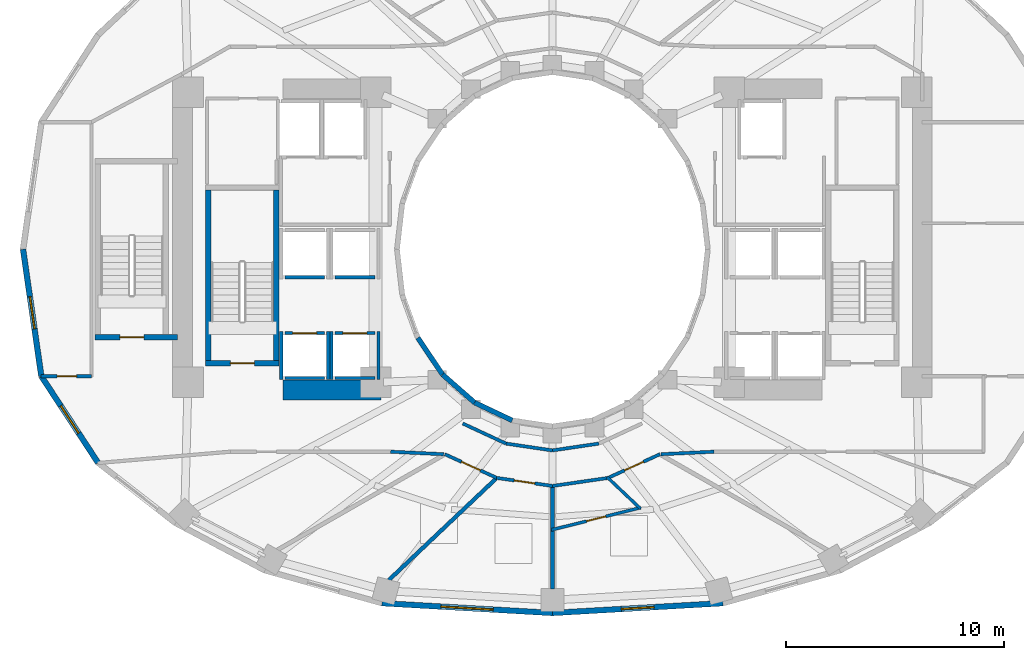
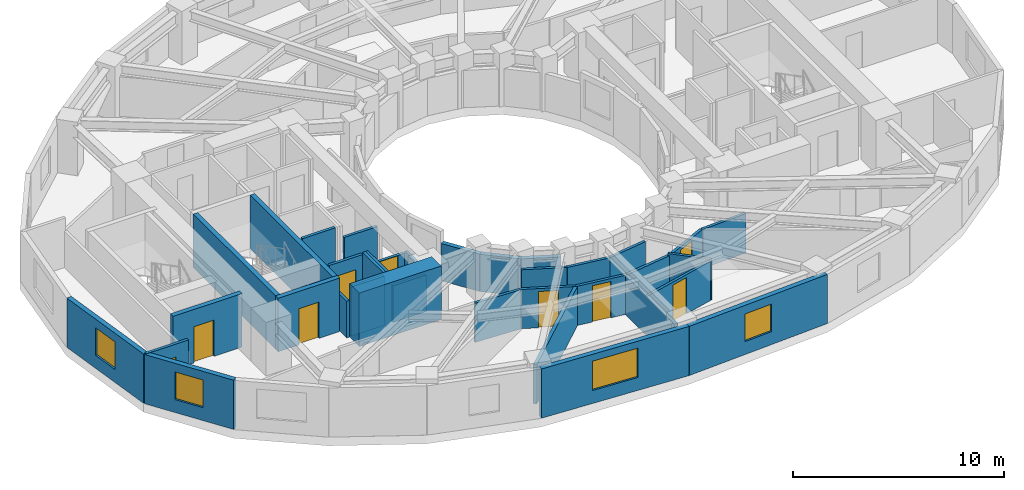
# One storey, part 3 of 9: 36 walls, 9 doors, 4 windows, 13 openings.
"""IFC4 building model written with IfcOpenShell, lengths in metres."""

from ifc_helpers import new_model, si_unit, direction, frame, frame_2d, origin, place, context, subcontext, project, spatial, rectangle, extrude, material, layer, layer_set, type_object, element, fill, save


model = new_model("IFC4")

# Units and contexts
model_context = context("Model", 3, precision=1e-05, world=origin(), true_north=direction((0.0, 1.0)))
body_context = subcontext(model_context, "Body", "Model", "MODEL_VIEW")
ifc_project = project(units=[si_unit("LENGTHUNIT", "METRE"), si_unit("AREAUNIT", "SQUARE_METRE"), si_unit("VOLUMEUNIT", "CUBIC_METRE"), si_unit("PLANEANGLEUNIT", "RADIAN"), si_unit("MASSUNIT", "GRAM", prefix="KILO")], contexts=[model_context])

# Site, building, storey
site_placement = place(None, origin())
site = spatial("IfcSite", under=ifc_project, at=site_placement, CompositionType="ELEMENT")
building_placement = place(site_placement, origin())
building = spatial("IfcBuilding", under=site, at=building_placement, Name="Solvane Sanctuary Tower", CompositionType="ELEMENT")
storey_placement = place(building_placement, frame((0.0, 0.0, 76.300048828125)))
storey = spatial("IfcBuildingStorey", under=building, at=storey_placement, Name="L22", CompositionType="ELEMENT", Elevation=76.300048828125)

# Walls
ifc_material_1 = material(Name="Concrete C70/85", Category="concrete")
ifc_layer_1 = layer(ifc_material_1, 0.89990234375, Name="Concrete C70/85")
ifc_layer_set_1 = layer_set([ifc_layer_1], Name="Concrete C70/85")
wall_type_1 = type_object("IfcWallType", Name="Wall W-CORE-900", PredefinedType="SHEAR", material=ifc_layer_set_1)
wall_1_placement = place(storey_placement, frame((19.64990234375, 16.550048828125, 0.0), z_axis=(0.0, 0.0, 1.0), x_axis=(1.0, 0.0, 0.0)))
element("IfcWall", 1, at=wall_1_placement, inside=storey, type_object=wall_type_1, Name="L22 Core Shear Wall WC-S", PredefinedType="SHEAR", context=body_context, shape_type="SweptSolid", body=[
    extrude(rectangle(XDim=4.5, YDim=0.89990234375, at=frame_2d((2.25, 0.0))), origin(), (0.0, 0.0, 1.0), 3.099853515625),
])
ifc_material_2 = material(Name="Acoustic Gypsum Partition Board")
ifc_layer_2 = layer(ifc_material_2, 0.14990234375, Name="Acoustic Gypsum Partition Board")
ifc_layer_set_2 = layer_set([ifc_layer_2], Name="Acoustic Gypsum Partition Board")
wall_type_2 = type_object("IfcWallType", Name="Wall W-CORR-150", PredefinedType="PARTITIONING", material=ifc_layer_set_2)
wall_2_placement = place(storey_placement, frame((27.889892578125, 15.01513671875, 0.0), z_axis=(0.0, 0.0, 1.0), x_axis=(0.906943449489, -0.421252393975, 0.0)))
element("IfcWall", 2, at=wall_2_placement, inside=storey, type_object=wall_type_2, Name="L22 Light-Well Corridor Rim Wall S1", PredefinedType="PARTITIONING", context=body_context, shape_type="SweptSolid", body=[
    extrude(rectangle(XDim=2.18603515625, YDim=0.14990234375, at=frame_2d((1.093017578125, 0.0))), origin(), (0.0, 0.0, 1.0), 2.27197265625),
])
for number, where, z_axis, x_axis, name in (
    (3, (29.87255859375, 14.09423828125, 0.0), (0.0, 0.0, 1.0), (0.989268584896, -0.146108408166, 0.0), "L22 Light-Well Corridor Rim Wall S2"),
    (4, (32.0, 13.780029296875, 0.0), (0.0, 0.0, 1.0), (0.989268584896, 0.146108408166, 0.0), "L22 Light-Well Corridor Rim Wall S3"),
):
    element("IfcWall", number, at=place(storey_placement, frame(where, z_axis=z_axis, x_axis=x_axis)), inside=storey, type_object=wall_type_2, Name=name, PredefinedType="PARTITIONING", context=body_context, shape_type="SweptSolid", body=[
        extrude(rectangle(XDim=2.150634765625, YDim=0.14990234375, at=frame_2d((1.0751953125, 0.0))), origin(), (0.0, 0.0, 1.0), 2.27197265625),
    ])

# Wall, opening, door
wall_3_placement = place(storey_placement, frame((8.558349609375, 17.1748046875, 0.0), z_axis=(0.0, 0.0, 1.0), x_axis=(1.0, 0.0, 0.0)))
wall_3 = element("IfcWall", 5, at=wall_3_placement, inside=storey, type_object=wall_type_2, Name="L22 West Shoulder South Wall", PredefinedType="PARTITIONING", context=body_context, shape_type="SweptSolid", body=[
    extrude(rectangle(XDim=2.321533203125, YDim=0.14990234375, at=frame_2d((1.16064453125, 0.0))), origin(), (0.0, 0.0, 1.0), 2.85498046875),
])
opening_1_placement = place(wall_3_placement, frame((0.739013671875, 0.0, 0.0)))
opening_1 = element("IfcOpeningElement", 6, at=opening_1_placement, cuts=wall_3, Name="Opening D-L22-10", PredefinedType="OPENING", context=body_context, shape_type="SweptSolid", body=[
    extrude(rectangle(XDim=0.89990234375, YDim=2.10009765625, at=frame_2d((0.449951171875, 1.050048828125))), frame((0.0, 0.0849609375, 0.0), z_axis=(0.0, -1.0, 0.0), x_axis=(1.0, 0.0, 0.0)), (0.0, 0.0, 1.0), 0.169921875),
])
ifc_material_3 = material(Name="Engineered Tropical Hardwood", Category="wood")
door_type_1 = type_object("IfcDoorType", Name="Door D-WET-900", OperationType="NOTDEFINED", PredefinedType="DOOR", material=ifc_material_3)
door_1_placement = place(opening_1_placement, origin())
door_1 = element("IfcDoor", 7, at=door_1_placement, inside=storey, type_object=door_type_1, Name="L22 West Shoulder South Door", OperationType="SINGLE_SWING_LEFT", OverallHeight=2.10009765625, OverallWidth=0.89990234375, PredefinedType="DOOR", context=body_context, shape_type="SweptSolid", body=[
    extrude(rectangle(XDim=0.89990234375, YDim=2.10009765625, at=frame_2d((0.449951171875, 1.050048828125))), frame((0.0, 0.02490234375, 0.0), z_axis=(0.0, -1.0, 0.0), x_axis=(1.0, 0.0, 0.0)), (0.0, 0.0, 1.0), 0.050048828125),
])
fill(opening_1, door_1)

# Walls
for number, where, z_axis, x_axis, name in (
    (8, (27.02001953125, 13.606201171875, 0.0), (0.0, 0.0, 1.0), (-0.998877427952, 0.047369651964, 0.0), "L22 SW Corner Throat Wall"),
    (9, (36.97998046875, 13.606201171875, 0.0), (0.0, 0.0, 1.0), (0.998877427952, 0.047369651964, 0.0), "L22 SE Corner Throat Wall"),
):
    element("IfcWall", number, at=place(storey_placement, frame(where, z_axis=z_axis, x_axis=x_axis)), inside=storey, type_object=wall_type_2, Name=name, PredefinedType="PARTITIONING", context=body_context, shape_type="SweptSolid", body=[
        extrude(rectangle(XDim=2.4326171875, YDim=0.14990234375, at=frame_2d((1.21630859375, 0.0))), origin(), (0.0, 0.0, 1.0), 2.27197265625),
    ])

# Wall, opening, door
wall_4_placement = place(storey_placement, frame((27.069091796875, 13.607421875, 0.0), z_axis=(0.0, 0.0, 1.0), x_axis=(0.909747571199, -0.415161843982, 0.0)))
wall_4 = element("IfcWall", 10, at=wall_4_placement, inside=storey, type_object=wall_type_2, Name="L22 Unit Corridor Wall S1", PredefinedType="PARTITIONING", context=body_context, shape_type="SweptSolid", body=[
    extrude(rectangle(XDim=2.625, YDim=0.14990234375, at=frame_2d((1.3125, 0.0))), origin(), (0.0, 0.0, 1.0), 2.27197265625),
])
opening_2_placement = place(wall_4_placement, frame((0.837646484375, 0.0, 0.0)))
opening_2 = element("IfcOpeningElement", 11, at=opening_2_placement, cuts=wall_4, Name="Opening D-L22-19", PredefinedType="OPENING", context=body_context, shape_type="SweptSolid", body=[
    extrude(rectangle(XDim=0.949951171875, YDim=2.10009765625, at=frame_2d((0.47509765625, 1.050048828125))), frame((0.0, 0.0849609375, 0.0), z_axis=(0.0, -1.0, 0.0), x_axis=(1.0, 0.0, 0.0)), (0.0, 0.0, 1.0), 0.169921875),
])
door_type_2 = type_object("IfcDoorType", Name="Door D-ROOM-950", OperationType="NOTDEFINED", PredefinedType="DOOR", material=ifc_material_3)
door_2_placement = place(opening_2_placement, origin())
door_2 = element("IfcDoor", 12, at=door_2_placement, inside=storey, type_object=door_type_2, Name="L22 Unit Entrance Door S1", OperationType="SINGLE_SWING_RIGHT", OverallHeight=2.10009765625, OverallWidth=0.949951171875, PredefinedType="DOOR", context=body_context, shape_type="SweptSolid", body=[
    extrude(rectangle(XDim=0.949951171875, YDim=2.10009765625, at=frame_2d((0.47509765625, 1.050048828125))), frame((0.0, 0.02490234375, 0.0), z_axis=(0.0, -1.0, 0.0), x_axis=(1.0, 0.0, 0.0)), (0.0, 0.0, 1.0), 0.050048828125),
])
fill(opening_2, door_2)

wall_5_placement = place(storey_placement, frame((29.444091796875, 12.521728515625, 0.0), z_axis=(0.0, 0.0, 1.0), x_axis=(0.989637894688, -0.143585644814, 0.0)))
wall_5 = element("IfcWall", 13, at=wall_5_placement, inside=storey, type_object=wall_type_2, Name="L22 Unit Corridor Wall S2", PredefinedType="PARTITIONING", context=body_context, shape_type="SweptSolid", body=[
    extrude(rectangle(XDim=2.589599609375, YDim=0.14990234375, at=frame_2d((1.294921875, 0.0))), origin(), (0.0, 0.0, 1.0), 2.27197265625),
])
opening_3_placement = place(wall_5_placement, frame((0.81982421875, 0.0, 0.0)))
opening_3 = element("IfcOpeningElement", 14, at=opening_3_placement, cuts=wall_5, Name="Opening D-L22-20", PredefinedType="OPENING", context=body_context, shape_type="SweptSolid", body=[
    extrude(rectangle(XDim=0.949951171875, YDim=2.10009765625, at=frame_2d((0.47509765625, 1.050048828125))), frame((0.0, 0.0849609375, 0.0), z_axis=(0.0, -1.0, 0.0), x_axis=(1.0, 0.0, 0.0)), (0.0, 0.0, 1.0), 0.169921875),
])
door_3_placement = place(opening_3_placement, origin())
door_3 = element("IfcDoor", 15, at=door_3_placement, inside=storey, type_object=door_type_2, Name="L22 Unit Entrance Door S2", OperationType="SINGLE_SWING_LEFT", OverallHeight=2.10009765625, OverallWidth=0.949951171875, PredefinedType="DOOR", context=body_context, shape_type="SweptSolid", body=[
    extrude(rectangle(XDim=0.949951171875, YDim=2.10009765625, at=frame_2d((0.47509765625, 1.050048828125))), frame((0.0, 0.02490234375, 0.0), z_axis=(0.0, -1.0, 0.0), x_axis=(1.0, 0.0, 0.0)), (0.0, 0.0, 1.0), 0.050048828125),
])
fill(opening_3, door_3)

# Wall
wall_6_placement = place(storey_placement, frame((31.950439453125, 12.142822265625, 0.0), z_axis=(0.0, 0.0, 1.0), x_axis=(0.989649898776, 0.143502884474, 0.0)))
element("IfcWall", 16, at=wall_6_placement, inside=storey, type_object=wall_type_2, Name="L22 En-suite Inner Wall S3", PredefinedType="PARTITIONING", context=body_context, shape_type="SweptSolid", body=[
    extrude(rectangle(XDim=2.676025390625, YDim=0.14990234375, at=frame_2d((1.337890625, 0.0))), origin(), (0.0, 0.0, 1.0), 2.27197265625),
])

# Wall, opening, door
wall_7_placement = place(storey_placement, frame((34.542724609375, 12.517578125, 0.0), z_axis=(0.0, 0.0, 1.0), x_axis=(0.909747571199, 0.415161843982, 0.0)))
wall_7 = element("IfcWall", 17, at=wall_7_placement, inside=storey, type_object=wall_type_2, Name="L22 Unit Corridor Wall S3", PredefinedType="PARTITIONING", context=body_context, shape_type="SweptSolid", body=[
    extrude(rectangle(XDim=2.625, YDim=0.14990234375, at=frame_2d((1.3125, 0.0))), origin(), (0.0, 0.0, 1.0), 2.27197265625),
])
opening_4_placement = place(wall_7_placement, frame((0.837646484375, 0.0, 0.0)))
opening_4 = element("IfcOpeningElement", 18, at=opening_4_placement, cuts=wall_7, Name="Opening D-L22-22", PredefinedType="OPENING", context=body_context, shape_type="SweptSolid", body=[
    extrude(rectangle(XDim=0.949951171875, YDim=2.10009765625, at=frame_2d((0.47509765625, 1.050048828125))), frame((0.0, 0.0849609375, 0.0), z_axis=(0.0, -1.0, 0.0), x_axis=(1.0, 0.0, 0.0)), (0.0, 0.0, 1.0), 0.169921875),
])
door_4_placement = place(opening_4_placement, origin())
door_4 = element("IfcDoor", 19, at=door_4_placement, inside=storey, type_object=door_type_2, Name="L22 Unit Entrance Door S3", OperationType="SINGLE_SWING_LEFT", OverallHeight=2.10009765625, OverallWidth=0.949951171875, PredefinedType="DOOR", context=body_context, shape_type="SweptSolid", body=[
    extrude(rectangle(XDim=0.949951171875, YDim=2.10009765625, at=frame_2d((0.47509765625, 1.050048828125))), frame((0.0, 0.02490234375, 0.0), z_axis=(0.0, -1.0, 0.0), x_axis=(1.0, 0.0, 0.0)), (0.0, 0.0, 1.0), 0.050048828125),
])
fill(opening_4, door_4)

# Wall, opening, window
ifc_material_4 = material(Name="Precast concrete C40/50", Category="concrete")
ifc_layer_3 = layer(ifc_material_4, 0.260009765625, Name="Precast concrete C40/50")
ifc_layer_set_3 = layer_set([ifc_layer_3], Name="Precast concrete C40/50")
wall_type_3 = type_object("IfcWallType", Name="Wall W-EXT-250", PredefinedType="STANDARD", material=ifc_layer_set_3)
wall_8_placement = place(storey_placement, frame((7.739990234375, 23.0, 0.0), z_axis=(0.0, 0.0, 1.0), x_axis=(0.142572472068, -0.98978436551, 0.0)))
wall_8 = element("IfcWall", 20, at=wall_8_placement, inside=storey, type_object=wall_type_3, Name="L22 Ceramic-Printed Facade Wall 12", PredefinedType="STANDARD", context=body_context, shape_type="SweptSolid", body=[
    extrude(rectangle(XDim=5.878662109375, YDim=0.260009765625, at=frame_2d((2.939453125, 0.0))), origin(), (0.0, 0.0, 1.0), 2.849853515625),
])
opening_5_placement = place(wall_8_placement, frame((2.189453125, 0.0, 0.75)))
opening_5 = element("IfcOpeningElement", 21, at=opening_5_placement, cuts=wall_8, Name="Opening WN-OPER-1500", PredefinedType="OPENING", context=body_context, shape_type="SweptSolid", body=[
    extrude(rectangle(XDim=1.5, YDim=1.60009765625, at=frame_2d((0.75, 0.800048828125))), frame((0.0, 0.139892578125, 0.0), z_axis=(0.0, -1.0, 0.0), x_axis=(1.0, 0.0, 0.0)), (0.0, 0.0, 1.0), 0.280029296875),
])
ifc_material_5 = material(Name="Dark Ceramic-Fritted Low-E Glass", Category="glass")
window_type_1 = type_object("IfcWindowType", Name="Window WN-OPER-1500", PartitioningType="SINGLE_PANEL", PredefinedType="WINDOW", material=ifc_material_5)
window_1_placement = place(opening_5_placement, origin())
window_1 = element("IfcWindow", 22, at=window_1_placement, inside=storey, type_object=window_type_1, Name="L22 Operable Facade Window 12", OverallHeight=1.60009765625, OverallWidth=1.5, PartitioningType="SINGLE_PANEL", PredefinedType="WINDOW", context=body_context, shape_type="SweptSolid", body=[
    extrude(rectangle(XDim=1.5, YDim=1.60009765625, at=frame_2d((0.75, 0.800048828125))), frame((0.0, 0.030029296875, 0.0), z_axis=(0.0, -1.0, 0.0), x_axis=(1.0, 0.0, 0.0)), (0.0, 0.0, 1.0), 0.06005859375),
])
fill(opening_5, window_1)

wall_9_placement = place(storey_placement, frame((8.578125, 17.181396484375, 0.0), z_axis=(0.0, 0.0, 1.0), x_axis=(0.548283220945, -0.836292717672, 0.0)))
wall_9 = element("IfcWall", 23, at=wall_9_placement, inside=storey, type_object=wall_type_3, Name="L22 Ceramic-Printed Facade Wall 13", PredefinedType="STANDARD", context=body_context, shape_type="SweptSolid", body=[
    extrude(rectangle(XDim=4.744384765625, YDim=0.260009765625, at=frame_2d((2.3720703125, 0.0))), origin(), (0.0, 0.0, 1.0), 2.849853515625),
])
opening_6_placement = place(wall_9_placement, frame((1.622314453125, 0.0, 0.75)))
opening_6 = element("IfcOpeningElement", 24, at=opening_6_placement, cuts=wall_9, Name="Opening WN-OPER-1500", PredefinedType="OPENING", context=body_context, shape_type="SweptSolid", body=[
    extrude(rectangle(XDim=1.5, YDim=1.60009765625, at=frame_2d((0.75, 0.800048828125))), frame((0.0, 0.139892578125, 0.0), z_axis=(0.0, -1.0, 0.0), x_axis=(1.0, 0.0, 0.0)), (0.0, 0.0, 1.0), 0.280029296875),
])
window_2_placement = place(opening_6_placement, origin())
window_2 = element("IfcWindow", 25, at=window_2_placement, inside=storey, type_object=window_type_1, Name="L22 Operable Facade Window 13", OverallHeight=1.60009765625, OverallWidth=1.5, PartitioningType="SINGLE_PANEL", PredefinedType="WINDOW", context=body_context, shape_type="SweptSolid", body=[
    extrude(rectangle(XDim=1.5, YDim=1.60009765625, at=frame_2d((0.75, 0.800048828125))), frame((0.0, 0.030029296875, 0.0), z_axis=(0.0, -1.0, 0.0), x_axis=(1.0, 0.0, 0.0)), (0.0, 0.0, 1.0), 0.06005859375),
])
fill(opening_6, window_2)

wall_10_placement = place(storey_placement, frame((24.18359375, 6.7783203125, 0.0), z_axis=(0.0, 0.0, 1.0), x_axis=(0.998352606703, -0.057376586592, 0.0)))
wall_10 = element("IfcWall", 26, at=wall_10_placement, inside=storey, type_object=wall_type_3, Name="L22 Ceramic-Printed Facade Wall 17", PredefinedType="STANDARD", context=body_context, shape_type="SweptSolid", body=[
    extrude(rectangle(XDim=7.829345703125, YDim=0.260009765625, at=frame_2d((3.91455078125, 0.0))), origin(), (0.0, 0.0, 1.0), 2.849853515625),
])
opening_7_placement = place(wall_10_placement, frame((2.714599609375, 0.0, 0.75)))
opening_7 = element("IfcOpeningElement", 27, at=opening_7_placement, cuts=wall_10, Name="Opening WN-RIB-2400", PredefinedType="OPENING", context=body_context, shape_type="SweptSolid", body=[
    extrude(rectangle(XDim=2.39990234375, YDim=1.699951171875, at=frame_2d((1.199951171875, 0.85009765625))), frame((0.0, 0.139892578125, 0.0), z_axis=(0.0, -1.0, 0.0), x_axis=(1.0, 0.0, 0.0)), (0.0, 0.0, 1.0), 0.280029296875),
])
window_type_2 = type_object("IfcWindowType", Name="Window WN-RIB-2400", PartitioningType="SINGLE_PANEL", PredefinedType="WINDOW", material=ifc_material_5)
window_3_placement = place(opening_7_placement, origin())
window_3 = element("IfcWindow", 28, at=window_3_placement, inside=storey, type_object=window_type_2, Name="L22 Operable Facade Window 17", OverallHeight=1.699951171875, OverallWidth=2.39990234375, PartitioningType="SINGLE_PANEL", PredefinedType="WINDOW", context=body_context, shape_type="SweptSolid", body=[
    extrude(rectangle(XDim=2.39990234375, YDim=1.699951171875, at=frame_2d((1.199951171875, 0.85009765625))), frame((0.0, 0.030029296875, 0.0), z_axis=(0.0, -1.0, 0.0), x_axis=(1.0, 0.0, 0.0)), (0.0, 0.0, 1.0), 0.06005859375),
])
fill(opening_7, window_3)

wall_11_placement = place(storey_placement, frame((32.0, 6.3291015625, 0.0), z_axis=(0.0, 0.0, 1.0), x_axis=(0.998352606703, 0.057376586592, 0.0)))
wall_11 = element("IfcWall", 29, at=wall_11_placement, inside=storey, type_object=wall_type_3, Name="L22 Ceramic-Printed Facade Wall 18", PredefinedType="STANDARD", context=body_context, shape_type="SweptSolid", body=[
    extrude(rectangle(XDim=7.829345703125, YDim=0.260009765625, at=frame_2d((3.91455078125, 0.0))), origin(), (0.0, 0.0, 1.0), 2.849853515625),
])
opening_8_placement = place(wall_11_placement, frame((3.16455078125, 0.0, 0.75)))
opening_8 = element("IfcOpeningElement", 30, at=opening_8_placement, cuts=wall_11, Name="Opening WN-OPER-1500", PredefinedType="OPENING", context=body_context, shape_type="SweptSolid", body=[
    extrude(rectangle(XDim=1.5, YDim=1.60009765625, at=frame_2d((0.75, 0.800048828125))), frame((0.0, 0.139892578125, 0.0), z_axis=(0.0, -1.0, 0.0), x_axis=(1.0, 0.0, 0.0)), (0.0, 0.0, 1.0), 0.280029296875),
])
window_4_placement = place(opening_8_placement, origin())
window_4 = element("IfcWindow", 31, at=window_4_placement, inside=storey, type_object=window_type_1, Name="L22 Operable Facade Window 18", OverallHeight=1.60009765625, OverallWidth=1.5, PartitioningType="SINGLE_PANEL", PredefinedType="WINDOW", context=body_context, shape_type="SweptSolid", body=[
    extrude(rectangle(XDim=1.5, YDim=1.60009765625, at=frame_2d((0.75, 0.800048828125))), frame((0.0, 0.030029296875, 0.0), z_axis=(0.0, -1.0, 0.0), x_axis=(1.0, 0.0, 0.0)), (0.0, 0.0, 1.0), 0.06005859375),
])
fill(opening_8, window_4)

# Walls
ifc_layer_4 = layer(ifc_material_4, 0.22998046875, Name="Precast concrete C40/50")
ifc_layer_set_4 = layer_set([ifc_layer_4], Name="Precast concrete C40/50")
wall_type_4 = type_object("IfcWallType", Name="Wall W-EXT-SP220", PredefinedType="STANDARD", material=ifc_layer_set_4)
wall_12_placement = place(storey_placement, frame((25.833984375, 18.93994140625, 0.0), z_axis=(0.0, 0.0, 1.0), x_axis=(0.558197800898, -0.829707909492, 0.0)))
element("IfcWall", 32, at=wall_12_placement, inside=storey, type_object=wall_type_4, Name="L22 Central Light-Well Wall 14", PredefinedType="STANDARD", context=body_context, shape_type="SweptSolid", body=[
    extrude(rectangle(XDim=2.02685546875, YDim=0.22998046875, at=frame_2d((1.013427734375, 0.0))), origin(), (0.0, 0.0, 1.0), 2.159912109375),
])
wall_13_placement = place(storey_placement, frame((26.96533203125, 17.25830078125, 0.0), z_axis=(0.0, 0.0, 1.0), x_axis=(0.752576694707, -0.658504607869, 0.0)))
element("IfcWall", 33, at=wall_13_placement, inside=storey, type_object=wall_type_4, Name="L22 Central Light-Well Wall 15", PredefinedType="STANDARD", context=body_context, shape_type="SweptSolid", body=[
    extrude(rectangle(XDim=1.95947265625, YDim=0.22998046875, at=frame_2d((0.979736328125, 0.0))), origin(), (0.0, 0.0, 1.0), 2.159912109375),
])
wall_14_placement = place(storey_placement, frame((28.43994140625, 15.968017578125, 0.0), z_axis=(0.0, 0.0, 1.0), x_axis=(0.904179699603, -0.427152280606, 0.0)))
element("IfcWall", 34, at=wall_14_placement, inside=storey, type_object=wall_type_4, Name="L22 Central Light-Well Wall 16", PredefinedType="STANDARD", context=body_context, shape_type="SweptSolid", body=[
    extrude(rectangle(XDim=1.899169921875, YDim=0.22998046875, at=frame_2d((0.94970703125, 0.0))), origin(), (0.0, 0.0, 1.0), 2.159912109375),
])

# Wall, opening, door
ifc_material_6 = material(Name="Concrete C50/60", Category="concrete")
ifc_layer_5 = layer(ifc_material_6, 0.14990234375, Name="Concrete C50/60")
ifc_layer_set_5 = layer_set([ifc_layer_5], Name="Concrete C50/60")
wall_type_5 = type_object("IfcWallType", Name="Wall W-SHAFT-150", PredefinedType="SOLIDWALL", material=ifc_layer_set_5)
wall_15_placement = place(storey_placement, frame((19.739990234375, 19.159912109375, 0.0), z_axis=(0.0, 0.0, 1.0), x_axis=(1.0, 0.0, 0.0)))
wall_15 = element("IfcWall", 35, at=wall_15_placement, inside=storey, type_object=wall_type_5, Name="L22 PL-1 Lift Shaft Wall F", PredefinedType="SOLIDWALL", context=body_context, shape_type="SweptSolid", body=[
    extrude(rectangle(XDim=1.820068359375, YDim=0.14990234375, at=frame_2d((0.91015625, 0.0))), origin(), (0.0, 0.0, 1.0), 2.85498046875),
])
opening_9_placement = place(wall_15_placement, frame((0.360107421875, 0.0, 0.0)))
opening_9 = element("IfcOpeningElement", 36, at=opening_9_placement, cuts=wall_15, Name="Opening LD-L22-01", PredefinedType="OPENING", context=body_context, shape_type="SweptSolid", body=[
    extrude(rectangle(XDim=1.10009765625, YDim=2.10009765625, at=frame_2d((0.550048828125, 1.050048828125))), frame((0.0, 0.0849609375, 0.0), z_axis=(0.0, -1.0, 0.0), x_axis=(1.0, 0.0, 0.0)), (0.0, 0.0, 1.0), 0.169921875),
])
ifc_material_7 = material(Name="Architectural Stainless Steel 316", Category="steel")
door_type_3 = type_object("IfcDoorType", Name="Door LD-PASS-1100", OperationType="NOTDEFINED", PredefinedType="DOOR", material=ifc_material_7)
door_5_placement = place(opening_9_placement, origin())
door_5 = element("IfcDoor", 37, at=door_5_placement, inside=storey, type_object=door_type_3, Name="L22 PL-1 Lift Landing Door", OperationType="DOUBLE_DOOR_SLIDING", OverallHeight=2.10009765625, OverallWidth=1.10009765625, PredefinedType="DOOR", context=body_context, shape_type="SweptSolid", body=[
    extrude(rectangle(XDim=1.10009765625, YDim=2.10009765625, at=frame_2d((0.550048828125, 1.050048828125))), frame((0.0, 0.02490234375, 0.0), z_axis=(0.0, -1.0, 0.0), x_axis=(1.0, 0.0, 0.0)), (0.0, 0.0, 1.0), 0.050048828125),
])
fill(opening_9, door_5)

# Walls
wall_16_placement = place(storey_placement, frame((19.739990234375, 17.10009765625, 0.0), z_axis=(0.0, 0.0, 1.0), x_axis=(1.0, 0.0, 0.0)))
element("IfcWall", 38, at=wall_16_placement, inside=storey, type_object=wall_type_5, Name="L22 PL-1 Lift Shaft Wall B", PredefinedType="SOLIDWALL", context=body_context, shape_type="SweptSolid", body=[
    extrude(rectangle(XDim=1.820068359375, YDim=0.14990234375, at=frame_2d((0.91015625, 0.0))), origin(), (0.0, 0.0, 1.0), 2.85498046875),
])
wall_17_placement = place(storey_placement, frame((19.570068359375, 17.02001953125, 0.0), z_axis=(0.0, 0.0, 1.0), x_axis=(0.0, 1.0, 0.0)))
element("IfcWall", 39, at=wall_17_placement, inside=storey, type_object=wall_type_5, Name="L22 PL-1 Lift Shaft Wall S1", PredefinedType="SOLIDWALL", context=body_context, shape_type="SweptSolid", body=[
    extrude(rectangle(XDim=2.219970703125, YDim=0.14990234375, at=frame_2d((1.10986328125, 0.0))), origin(), (0.0, 0.0, 1.0), 2.119873046875),
])
wall_18_placement = place(storey_placement, frame((21.72998046875, 17.02001953125, 0.0), z_axis=(0.0, 0.0, 1.0), x_axis=(0.0, 1.0, 0.0)))
element("IfcWall", 40, at=wall_18_placement, inside=storey, type_object=wall_type_5, Name="L22 PL-1 Lift Shaft Wall S2", PredefinedType="SOLIDWALL", context=body_context, shape_type="SweptSolid", body=[
    extrude(rectangle(XDim=2.219970703125, YDim=0.14990234375, at=frame_2d((1.10986328125, 0.0))), origin(), (0.0, 0.0, 1.0), 2.85498046875),
])

# Wall, opening, door
wall_19_placement = place(storey_placement, frame((22.0400390625, 19.159912109375, 0.0), z_axis=(0.0, 0.0, 1.0), x_axis=(1.0, 0.0, 0.0)))
wall_19 = element("IfcWall", 41, at=wall_19_placement, inside=storey, type_object=wall_type_5, Name="L22 PL-2 Lift Shaft Wall F", PredefinedType="SOLIDWALL", context=body_context, shape_type="SweptSolid", body=[
    extrude(rectangle(XDim=1.820068359375, YDim=0.14990234375, at=frame_2d((0.91015625, 0.0))), origin(), (0.0, 0.0, 1.0), 2.119873046875),
])
opening_10_placement = place(wall_19_placement, frame((0.360107421875, 0.0, 0.0)))
opening_10 = element("IfcOpeningElement", 42, at=opening_10_placement, cuts=wall_19, Name="Opening LD-L22-02", PredefinedType="OPENING", context=body_context, shape_type="SweptSolid", body=[
    extrude(rectangle(XDim=1.10009765625, YDim=2.10009765625, at=frame_2d((0.550048828125, 1.050048828125))), frame((0.0, 0.0849609375, 0.0), z_axis=(0.0, -1.0, 0.0), x_axis=(1.0, 0.0, 0.0)), (0.0, 0.0, 1.0), 0.169921875),
])
door_6_placement = place(opening_10_placement, origin())
door_6 = element("IfcDoor", 43, at=door_6_placement, inside=storey, type_object=door_type_3, Name="L22 PL-2 Lift Landing Door", OperationType="DOUBLE_DOOR_SLIDING", OverallHeight=2.10009765625, OverallWidth=1.10009765625, PredefinedType="DOOR", context=body_context, shape_type="SweptSolid", body=[
    extrude(rectangle(XDim=1.10009765625, YDim=2.10009765625, at=frame_2d((0.550048828125, 1.050048828125))), frame((0.0, 0.02490234375, 0.0), z_axis=(0.0, -1.0, 0.0), x_axis=(1.0, 0.0, 0.0)), (0.0, 0.0, 1.0), 0.050048828125),
])
fill(opening_10, door_6)

# Walls
wall_20_placement = place(storey_placement, frame((22.0400390625, 17.10009765625, 0.0), z_axis=(0.0, 0.0, 1.0), x_axis=(1.0, 0.0, 0.0)))
element("IfcWall", 44, at=wall_20_placement, inside=storey, type_object=wall_type_5, Name="L22 PL-2 Lift Shaft Wall B", PredefinedType="SOLIDWALL", context=body_context, shape_type="SweptSolid", body=[
    extrude(rectangle(XDim=1.820068359375, YDim=0.14990234375, at=frame_2d((0.91015625, 0.0))), origin(), (0.0, 0.0, 1.0), 2.119873046875),
])
wall_21_placement = place(storey_placement, frame((21.8701171875, 17.02001953125, 0.0), z_axis=(0.0, 0.0, 1.0), x_axis=(0.0, 1.0, 0.0)))
element("IfcWall", 45, at=wall_21_placement, inside=storey, type_object=wall_type_5, Name="L22 PL-2 Lift Shaft Wall S1", PredefinedType="SOLIDWALL", context=body_context, shape_type="SweptSolid", body=[
    extrude(rectangle(XDim=2.219970703125, YDim=0.14990234375, at=frame_2d((1.10986328125, 0.0))), origin(), (0.0, 0.0, 1.0), 2.85498046875),
])
wall_22_placement = place(storey_placement, frame((24.030029296875, 17.02001953125, 0.0), z_axis=(0.0, 0.0, 1.0), x_axis=(0.0, 1.0, 0.0)))
element("IfcWall", 46, at=wall_22_placement, inside=storey, type_object=wall_type_5, Name="L22 PL-2 Lift Shaft Wall S2", PredefinedType="SOLIDWALL", context=body_context, shape_type="SweptSolid", body=[
    extrude(rectangle(XDim=2.219970703125, YDim=0.14990234375, at=frame_2d((1.10986328125, 0.0))), origin(), (0.0, 0.0, 1.0), 2.119873046875),
])
wall_23_placement = place(storey_placement, frame((19.739990234375, 21.719970703125, 0.0), z_axis=(0.0, 0.0, 1.0), x_axis=(1.0, 0.0, 0.0)))
element("IfcWall", 47, at=wall_23_placement, inside=storey, type_object=wall_type_5, Name="L22 PM-1 Lift Shaft Wall F", PredefinedType="SOLIDWALL", context=body_context, shape_type="SweptSolid", body=[
    extrude(rectangle(XDim=1.820068359375, YDim=0.14990234375, at=frame_2d((0.91015625, 0.0))), origin(), (0.0, 0.0, 1.0), 2.85498046875),
])
wall_24_placement = place(storey_placement, frame((22.0400390625, 21.719970703125, 0.0), z_axis=(0.0, 0.0, 1.0), x_axis=(1.0, 0.0, 0.0)))
element("IfcWall", 48, at=wall_24_placement, inside=storey, type_object=wall_type_5, Name="L22 PH-1 Lift Shaft Wall F", PredefinedType="SOLIDWALL", context=body_context, shape_type="SweptSolid", body=[
    extrude(rectangle(XDim=1.820068359375, YDim=0.14990234375, at=frame_2d((0.91015625, 0.0))), origin(), (0.0, 0.0, 1.0), 2.119873046875),
])

# Wall, opening, door
ifc_layer_6 = layer(ifc_material_6, 0.25, Name="Concrete C50/60")
ifc_layer_set_6 = layer_set([ifc_layer_6], Name="Concrete C50/60")
wall_type_6 = type_object("IfcWallType", Name="Wall W-SHAFT-250", PredefinedType="SOLIDWALL", material=ifc_layer_set_6)
wall_25_placement = place(storey_placement, frame((16.10498046875, 17.77001953125, 0.0), z_axis=(0.0, 0.0, 1.0), x_axis=(1.0, 0.0, 0.0)))
wall_25 = element("IfcWall", 49, at=wall_25_placement, inside=storey, type_object=wall_type_6, Name="L22 ST-1 Load-Bearing Shaft Wall S", PredefinedType="SOLIDWALL", context=body_context, shape_type="SweptSolid", body=[
    extrude(rectangle(XDim=3.3701171875, YDim=0.25, at=frame_2d((1.68505859375, 0.0))), origin(), (0.0, 0.0, 1.0), 3.099853515625),
])
opening_11_placement = place(wall_25_placement, frame((1.135009765625, 0.0, 0.0)))
opening_11 = element("IfcOpeningElement", 50, at=opening_11_placement, cuts=wall_25, Name="Opening D-L22-01", PredefinedType="OPENING", context=body_context, shape_type="SweptSolid", body=[
    extrude(rectangle(XDim=1.10009765625, YDim=2.10009765625, at=frame_2d((0.550048828125, 1.050048828125))), frame((0.0, 0.135009765625, 0.0), z_axis=(0.0, -1.0, 0.0), x_axis=(1.0, 0.0, 0.0)), (0.0, 0.0, 1.0), 0.27001953125),
])
door_type_4 = type_object("IfcDoorType", Name="Door D-STAIR", OperationType="NOTDEFINED", PredefinedType="DOOR", material=ifc_material_7)
door_7_placement = place(opening_11_placement, origin())
door_7 = element("IfcDoor", 51, at=door_7_placement, inside=storey, type_object=door_type_4, Name="L22 ST-1 Exit Stair Fire Door", OperationType="SINGLE_SWING_RIGHT", OverallHeight=2.10009765625, OverallWidth=1.10009765625, PredefinedType="DOOR", context=body_context, shape_type="SweptSolid", body=[
    extrude(rectangle(XDim=1.10009765625, YDim=2.10009765625, at=frame_2d((0.550048828125, 1.050048828125))), frame((0.0, 0.02490234375, 0.0), z_axis=(0.0, -1.0, 0.0), x_axis=(1.0, 0.0, 0.0)), (0.0, 0.0, 1.0), 0.050048828125),
])
fill(opening_11, door_7)

# Walls
for number, where, z_axis, x_axis, name in (
    (52, (16.22998046875, 17.89501953125, 0.0), (0.0, 0.0, 1.0), (0.0, 1.0, 0.0), "L22 ST-1 Load-Bearing Shaft Wall W"),
    (53, (19.35009765625, 17.89501953125, 0.0), (0.0, 0.0, 1.0), (0.0, 1.0, 0.0), "L22 ST-1 Load-Bearing Shaft Wall E"),
):
    element("IfcWall", number, at=place(storey_placement, frame(where, z_axis=z_axis, x_axis=x_axis)), inside=storey, type_object=wall_type_6, Name=name, PredefinedType="SOLIDWALL", context=body_context, shape_type="SweptSolid", body=[
        extrude(rectangle(XDim=7.81005859375, YDim=0.25, at=frame_2d((3.905029296875, 0.0))), origin(), (0.0, 0.0, 1.0), 3.099853515625),
    ])

# Wall, opening, door
wall_26_placement = place(storey_placement, frame((11.044921875, 18.969970703125, 0.0), z_axis=(0.0, 0.0, 1.0), x_axis=(1.0, 0.0, 0.0)))
wall_26 = element("IfcWall", 54, at=wall_26_placement, inside=storey, type_object=wall_type_6, Name="L22 ST-3 Load-Bearing Shaft Wall S", PredefinedType="SOLIDWALL", context=body_context, shape_type="SweptSolid", body=[
    extrude(rectangle(XDim=3.781982421875, YDim=0.25, at=frame_2d((1.89111328125, 0.0))), origin(), (0.0, 0.0, 1.0), 3.099853515625),
])
opening_12_placement = place(wall_26_placement, frame((1.135009765625, 0.0, 0.0)))
opening_12 = element("IfcOpeningElement", 55, at=opening_12_placement, cuts=wall_26, Name="Opening D-L22-03", PredefinedType="OPENING", context=body_context, shape_type="SweptSolid", body=[
    extrude(rectangle(XDim=1.10009765625, YDim=2.10009765625, at=frame_2d((0.550048828125, 1.050048828125))), frame((0.0, 0.135009765625, 0.0), z_axis=(0.0, -1.0, 0.0), x_axis=(1.0, 0.0, 0.0)), (0.0, 0.0, 1.0), 0.27001953125),
])
door_8_placement = place(opening_12_placement, origin())
door_8 = element("IfcDoor", 56, at=door_8_placement, inside=storey, type_object=door_type_4, Name="L22 ST-3 Exit Stair Fire Door", OperationType="SINGLE_SWING_RIGHT", OverallHeight=2.10009765625, OverallWidth=1.10009765625, PredefinedType="DOOR", context=body_context, shape_type="SweptSolid", body=[
    extrude(rectangle(XDim=1.10009765625, YDim=2.10009765625, at=frame_2d((0.550048828125, 1.050048828125))), frame((0.0, 0.02490234375, 0.0), z_axis=(0.0, -1.0, 0.0), x_axis=(1.0, 0.0, 0.0)), (0.0, 0.0, 1.0), 0.050048828125),
])
fill(opening_12, door_8)

# Walls
ifc_layer_7 = layer(ifc_material_2, 0.179931640625, Name="Acoustic Gypsum Partition Board")
ifc_layer_set_7 = layer_set([ifc_layer_7], Name="Acoustic Gypsum Partition Board")
wall_type_7 = type_object("IfcWallType", Name="Wall W-UNIT-180", PredefinedType="PARTITIONING", material=ifc_layer_set_7)
wall_27_placement = place(storey_placement, frame((29.41064453125, 12.48193359375, 0.0), z_axis=(0.0, 0.0, 1.0), x_axis=(-0.726306601605, -0.687370875485, 0.0)))
element("IfcWall", 57, at=wall_27_placement, inside=storey, type_object=wall_type_7, Name="L22 Radial Compartment Wall 255", PredefinedType="PARTITIONING", context=body_context, shape_type="SweptSolid", body=[
    extrude(rectangle(XDim=6.759521484375, YDim=0.179931640625, at=frame_2d((3.3798828125, 0.0))), origin(), (0.0, 0.0, 1.0), 2.27197265625),
])
wall_28_placement = place(storey_placement, frame((32.0, 12.094970703125, 0.0), z_axis=(0.0, 0.0, 1.0), x_axis=(0.0, -1.0, 0.0)))
element("IfcWall", 58, at=wall_28_placement, inside=storey, type_object=wall_type_7, Name="L22 Radial Compartment Wall 270", PredefinedType="PARTITIONING", context=body_context, shape_type="SweptSolid", body=[
    extrude(rectangle(XDim=4.669921875, YDim=0.179931640625, at=frame_2d((2.3349609375, 0.0))), origin(), (0.0, 0.0, 1.0), 2.27197265625),
])
ifc_layer_8 = layer(ifc_material_2, 0.139892578125, Name="Acoustic Gypsum Partition Board")
ifc_layer_set_8 = layer_set([ifc_layer_8], Name="Acoustic Gypsum Partition Board")
wall_type_8 = type_object("IfcWallType", Name="Wall W-WET-140", PredefinedType="PLUMBINGWALL", material=ifc_layer_set_8)
wall_29_placement = place(storey_placement, frame((34.51318359375, 12.55419921875, 0.0), z_axis=(0.0, 0.0, 1.0), x_axis=(0.72625505062, -0.687425342455, 0.0)))
element("IfcWall", 59, at=wall_29_placement, inside=storey, type_object=wall_type_8, Name="L22 En-suite Side Partition S3", PredefinedType="PLUMBINGWALL", context=body_context, shape_type="SweptSolid", body=[
    extrude(rectangle(XDim=2.10009765625, YDim=0.139892578125, at=frame_2d((1.050048828125, 0.0))), origin(), (0.0, 0.0, 1.0), 2.385009765625),
])

# Wall, opening, door
wall_30_placement = place(storey_placement, frame((31.951416015625, 10.137939453125, 0.0), z_axis=(0.0, 0.0, 1.0), x_axis=(0.970461257599, 0.241257015439, 0.0)))
wall_30 = element("IfcWall", 60, at=wall_30_placement, inside=storey, type_object=wall_type_8, Name="L22 En-suite Bedroom Wall S3", PredefinedType="PLUMBINGWALL", context=body_context, shape_type="SweptSolid", body=[
    extrude(rectangle(XDim=4.223876953125, YDim=0.139892578125, at=frame_2d((2.11181640625, 0.0))), origin(), (0.0, 0.0, 1.0), 2.27197265625),
])
opening_13_placement = place(wall_30_placement, frame((1.661865234375, 0.0, 0.0)))
opening_13 = element("IfcOpeningElement", 61, at=opening_13_placement, cuts=wall_30, Name="Opening D-L22-21", PredefinedType="OPENING", context=body_context, shape_type="SweptSolid", body=[
    extrude(rectangle(XDim=0.89990234375, YDim=2.10009765625, at=frame_2d((0.449951171875, 1.050048828125))), frame((0.0, 0.079833984375, 0.0), z_axis=(0.0, -1.0, 0.0), x_axis=(1.0, 0.0, 0.0)), (0.0, 0.0, 1.0), 0.159912109375),
])
door_9_placement = place(opening_13_placement, origin())
door_9 = element("IfcDoor", 62, at=door_9_placement, inside=storey, type_object=door_type_1, Name="L22 En-suite Bathroom Door S3", OperationType="SINGLE_SWING_RIGHT", OverallHeight=2.10009765625, OverallWidth=0.89990234375, PredefinedType="DOOR", context=body_context, shape_type="SweptSolid", body=[
    extrude(rectangle(XDim=0.89990234375, YDim=2.10009765625, at=frame_2d((0.449951171875, 1.050048828125))), frame((0.0, 0.02490234375, 0.0), z_axis=(0.0, -1.0, 0.0), x_axis=(1.0, 0.0, 0.0)), (0.0, 0.0, 1.0), 0.050048828125),
])
fill(opening_13, door_9)

save(model, "model.ifc")
